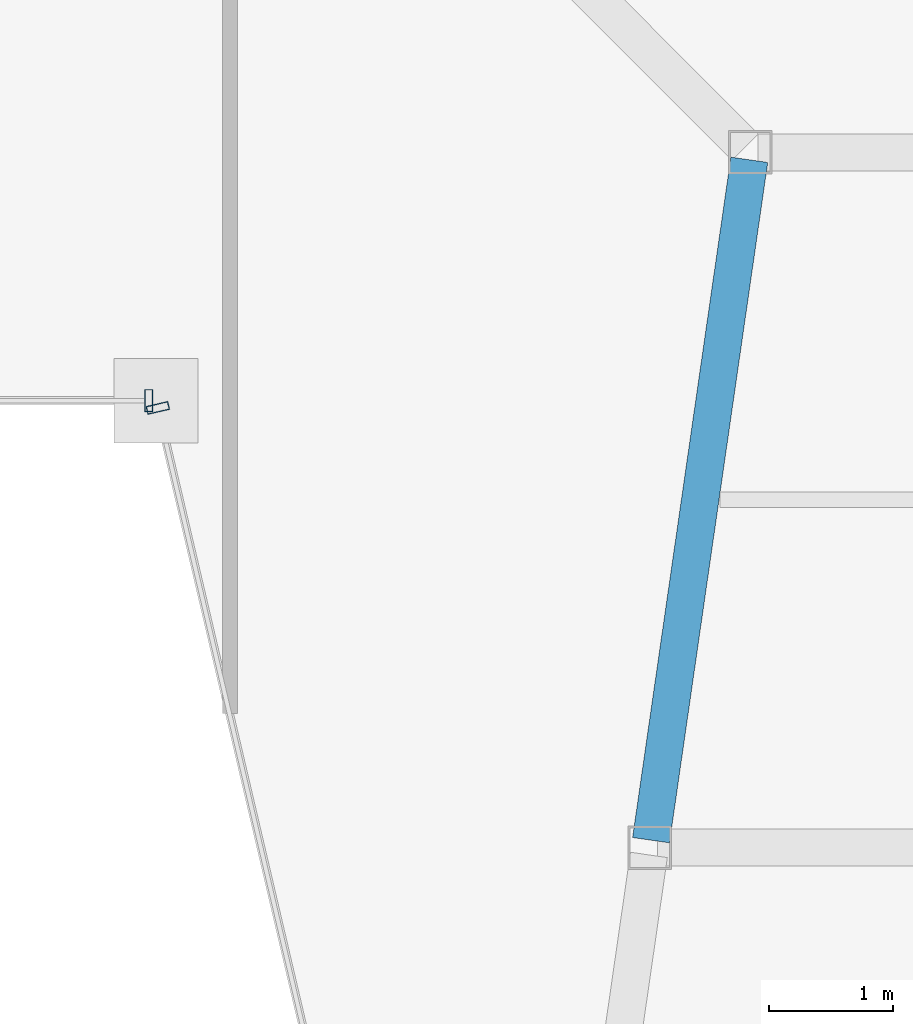
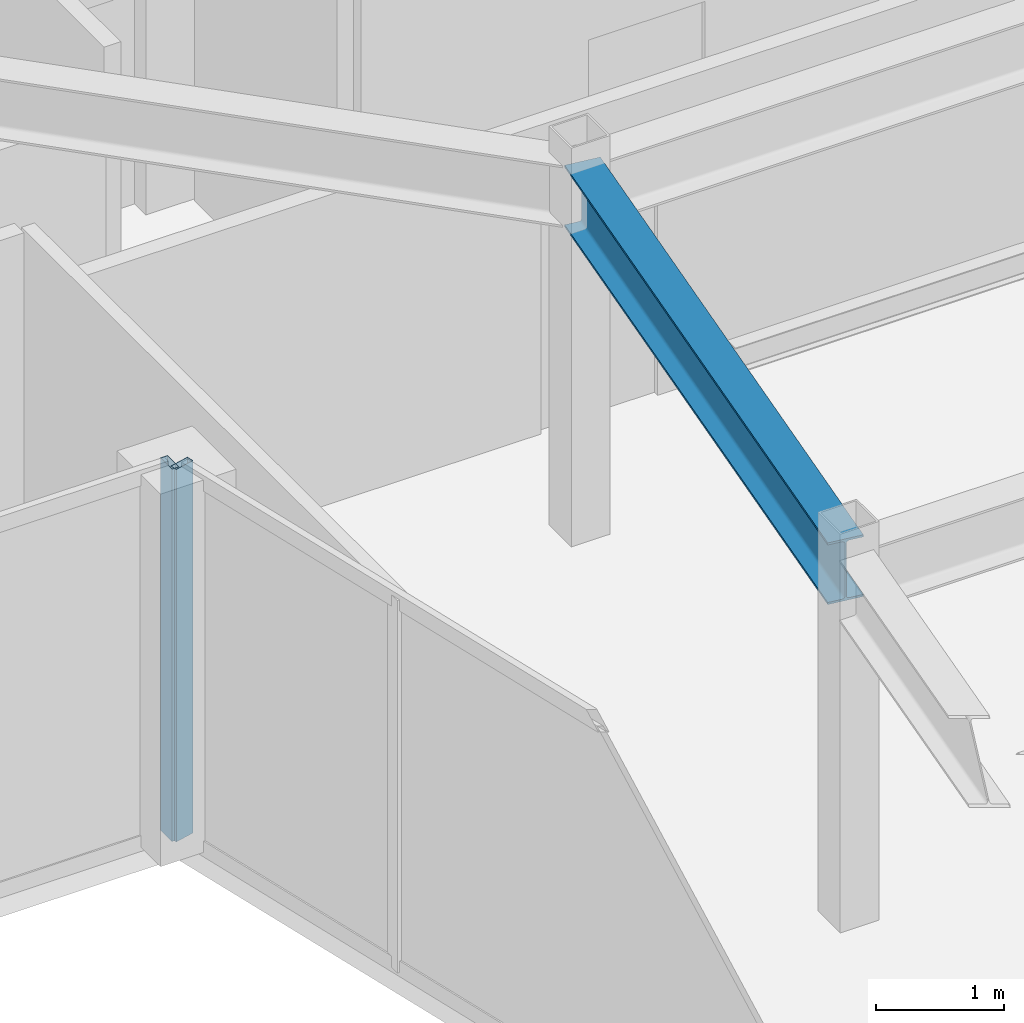
# One storey, part 15 of 32: 2 members, 1 beam, 2 elements without a shape of their own.
"""IFC4 building model written with IfcOpenShell, lengths in metres."""

from ifc_helpers import new_model, si_unit, direction, frame, origin, origin_2d, place, context, subcontext, project, spatial, hollow_rectangle, i_section, extrude, material, material_profile, profile_set, type_object, element, aggregate, save


model = new_model("IFC4")

# Units and contexts
model_context = context("Model", 3, precision=1e-05, world=origin(), true_north=direction((0.0, 1.0)))
body_context = subcontext(model_context, "Body", "Model", "MODEL_VIEW")
ifc_project = project(units=[si_unit("LENGTHUNIT", "METRE"), si_unit("AREAUNIT", "SQUARE_METRE"), si_unit("VOLUMEUNIT", "CUBIC_METRE"), si_unit("PLANEANGLEUNIT", "RADIAN"), si_unit("MASSUNIT", "GRAM", prefix="KILO")], contexts=[model_context])

# Site, building, storey
site_placement = place(None, origin())
site = spatial("IfcSite", under=ifc_project, at=site_placement, CompositionType="ELEMENT")
building_placement = place(site_placement, origin())
building = spatial("IfcBuilding", under=site, at=building_placement, Name="Saevonmaru Cultural Tower", CompositionType="ELEMENT")
storey_placement = place(building_placement, frame((0.0, 0.0, 268.60009765625)))
storey = spatial("IfcBuildingStorey", under=building, at=storey_placement, Name="L63", CompositionType="ELEMENT", Elevation=268.60009765625)

# Beam
ifc_material_1 = material(Name="Steel SM355", Category="steel")
ifc_material_profile_1 = material_profile(ifc_material_1, i_section(OverallWidth=0.300048828125, OverallDepth=0.587890625, WebThickness=0.011962890625, FlangeThickness=0.02001953125, FilletRadius=0.02392578125, at=origin_2d()), Name="H-588x300x12x20")
ifc_profile_set_1 = profile_set([ifc_material_profile_1], Name="Steel SM355")
beam_type = type_object("IfcBeamType", Name="BM-G-H588", PredefinedType="BEAM", material=ifc_profile_set_1)
beam_placement = place(storey_placement, frame((40.3916015625, 32.059326171875, 3.255859375), z_axis=(0.142964121327, 0.989727871697, 0.0), x_axis=(-0.989727871697, 0.142964121327, 0.0)))
element("IfcBeam", 1, at=beam_placement, inside=storey, type_object=beam_type, Name="L63 East Atrium Girder 2", PredefinedType="BEAM", context=body_context, shape_type="SweptSolid", body=[
    extrude(i_section(OverallWidth=0.300048828125, OverallDepth=0.587890625, WebThickness=0.011962890625, FlangeThickness=0.02001953125, FilletRadius=0.02392578125, at=origin_2d()), origin(), (0.0, 0.0, 1.0), 5.5380859375),
])

# Curtain wall, member
ifc_material_2 = material(Name="Satin Bronze Anodised Aluminium", Category="aluminium")
curtain_wall_type = type_object("IfcCurtainWallType", Name="CW-TYP-B", PredefinedType="NOTDEFINED", material=ifc_material_2)
curtain_wall_1_placement = place(storey_placement, origin())
curtain_wall_1 = element("IfcCurtainWall", 2, at=curtain_wall_1_placement, inside=storey, type_object=curtain_wall_type, Name="L63 Unitised Curtain Wall E4", PredefinedType="NOTDEFINED")
ifc_material_profile_2 = material_profile(ifc_material_2, hollow_rectangle(XDim=0.06494140625, YDim=0.179931640625, WallThickness=0.00390625, at=origin_2d()), Name="ALU-MULL-180x65x4")
ifc_profile_set_2 = profile_set([ifc_material_profile_2], Name="Satin Bronze Anodised Aluminium")
member_type = type_object("IfcMemberType", Name="ML-CW-180x65", PredefinedType="MULLION", material=ifc_profile_set_2)
member_1_placement = place(storey_placement, frame((36.344482421875, 35.60009765625, 0.0), z_axis=(0.0, 0.0, 1.0), x_axis=(1.0, 0.0, 0.0)))
member_1 = element("IfcMember", 3, at=member_1_placement, type_object=member_type, Name="CW-TW-L63-E4 mullion 2", PredefinedType="MULLION", context=body_context, shape_type="SweptSolid", body=[
    extrude(hollow_rectangle(XDim=0.06494140625, YDim=0.179931640625, WallThickness=0.00390625, at=origin_2d()), origin(), (0.0, 0.0, 1.0), 3.5498046875),
])
aggregate(curtain_wall_1, [member_1])

curtain_wall_2_placement = place(storey_placement, origin())
curtain_wall_2 = element("IfcCurtainWall", 4, at=curtain_wall_2_placement, inside=storey, type_object=curtain_wall_type, Name="L63 Unitised Curtain Wall E5", PredefinedType="NOTDEFINED")
member_2_placement = place(storey_placement, frame((36.418212890625, 35.54150390625, 0.0), z_axis=(0.0, 0.0, 1.0), x_axis=(0.228189509449, -0.973616735568, 0.0)))
member_2 = element("IfcMember", 5, at=member_2_placement, type_object=member_type, Name="CW-TW-L63-E5 mullion 1", PredefinedType="MULLION", context=body_context, shape_type="SweptSolid", body=[
    extrude(hollow_rectangle(XDim=0.06494140625, YDim=0.179931640625, WallThickness=0.00390625, at=origin_2d()), origin(), (0.0, 0.0, 1.0), 3.5498046875),
])
aggregate(curtain_wall_2, [member_2])

save(model, "model.ifc")
